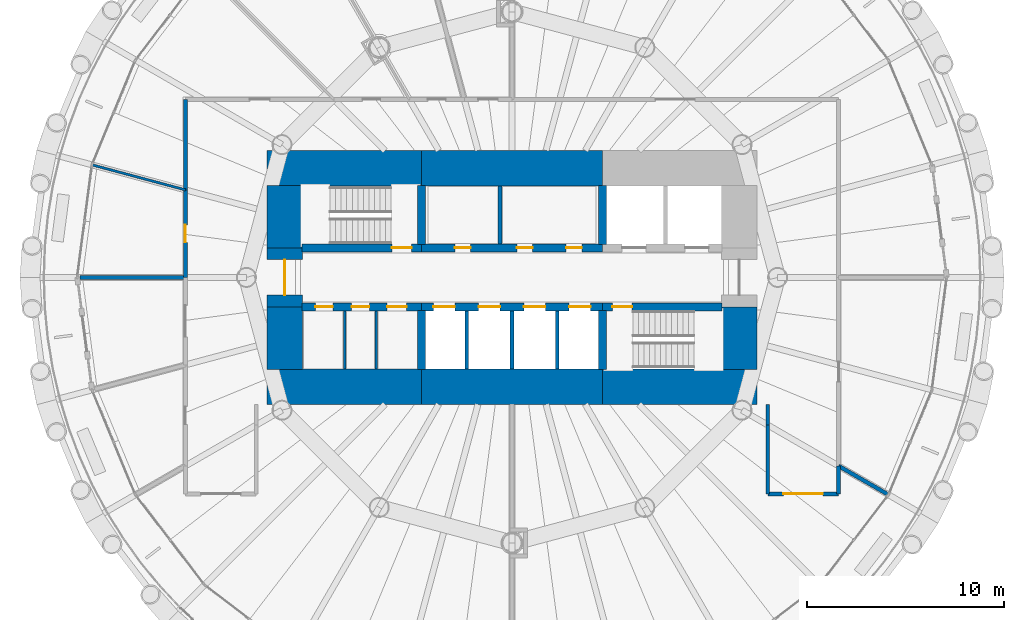
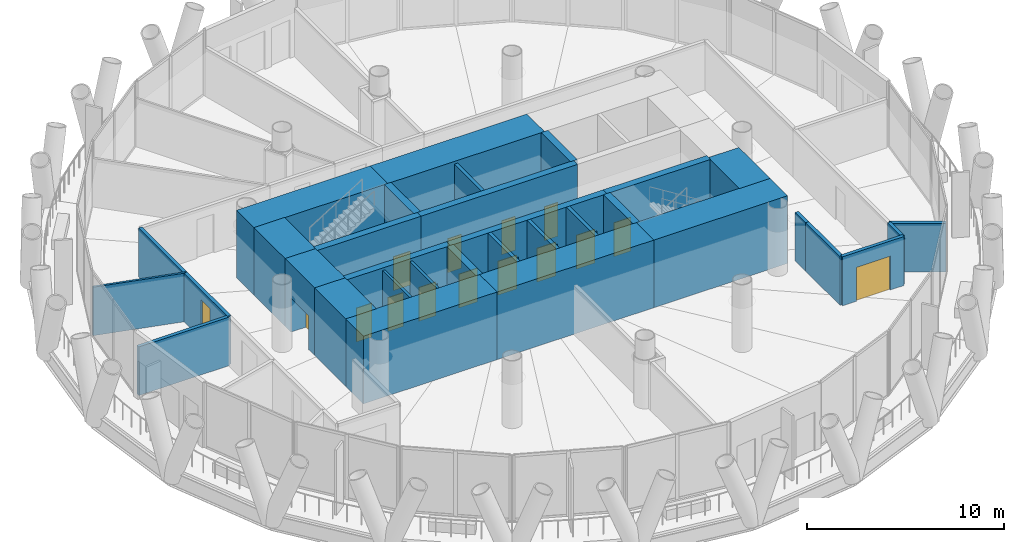
# One storey, part 9 of 15: 33 walls, 15 doors, 15 openings.
"""IFC4 building model written with IfcOpenShell, lengths in metres."""

from ifc_helpers import new_model, si_unit, direction, frame, frame_2d, origin, place, context, subcontext, project, spatial, rectangle, extrude, material, layer, layer_set, type_object, element, fill, save


model = new_model("IFC4")

# Units and contexts
model_context = context("Model", 3, precision=1e-05, world=origin(), true_north=direction((0.0, 1.0)))
body_context = subcontext(model_context, "Body", "Model", "MODEL_VIEW")
ifc_project = project(units=[si_unit("LENGTHUNIT", "METRE"), si_unit("AREAUNIT", "SQUARE_METRE"), si_unit("VOLUMEUNIT", "CUBIC_METRE"), si_unit("PLANEANGLEUNIT", "RADIAN"), si_unit("MASSUNIT", "GRAM", prefix="KILO")], contexts=[model_context])

# Site, building, storey
site_placement = place(None, origin())
site = spatial("IfcSite", under=ifc_project, at=site_placement, CompositionType="ELEMENT")
building_placement = place(site_placement, origin())
building = spatial("IfcBuilding", under=site, at=building_placement, Name="Qaws Media Tower", CompositionType="ELEMENT")
storey_placement = place(building_placement, frame((0.0, 0.0, 177.199951171875)))
storey = spatial("IfcBuildingStorey", under=building, at=storey_placement, Name="L40", CompositionType="ELEMENT", Elevation=177.199951171875)

# Wall, opening, door
ifc_material_1 = material(Name="Concrete C60/75", Category="concrete")
ifc_layer_1 = layer(ifc_material_1, 0.39990234375)
ifc_layer_set_1 = layer_set([ifc_layer_1], Name="Core inner wall 400")
wall_type_1 = type_object("IfcWallType", Name="Core inner wall 400", PredefinedType="SHEAR", material=ifc_layer_set_1)
wall_1_placement = place(storey_placement, frame((49.330078125, 51.5, 0.0), z_axis=(0.0, 0.0, 1.0), x_axis=(1.0, 0.0, 0.0)))
wall_1 = element("IfcWall", 1, at=wall_1_placement, inside=storey, type_object=wall_type_1, Name="W321 SW4 core wall SPNW L40", PredefinedType="SHEAR", context=body_context, shape_type="SweptSolid", body=[
    extrude(rectangle(XDim=6.06982421875, YDim=0.39990234375, at=frame_2d((3.034912109375, 0.0))), origin(), (0.0, 0.0, 1.0), 4.199951171875),
])
opening_1_placement = place(wall_1_placement, frame((4.570068359375, 0.0, 0.0)))
opening_1 = element("IfcOpeningElement", 2, at=opening_1_placement, cuts=wall_1, Name="Opening D1", PredefinedType="OPENING", context=body_context, shape_type="SweptSolid", body=[
    extrude(rectangle(XDim=1.0, YDim=2.10009765625, at=frame_2d((0.5, 1.050048828125))), frame((0.0, 0.2099609375, 0.0), z_axis=(0.0, -1.0, 0.0), x_axis=(1.0, 0.0, 0.0)), (0.0, 0.0, 1.0), 0.419921875),
])
ifc_material_2 = material(Name="Steel, fire rated", Category="steel")
door_type_1 = type_object("IfcDoorType", Name="Stair door 1000 FD120", OperationType="SINGLE_SWING_LEFT", PredefinedType="DOOR", material=ifc_material_2)
door_1_placement = place(opening_1_placement, origin())
door_1 = element("IfcDoor", 3, at=door_1_placement, inside=storey, type_object=door_type_1, Name="D1 stair S1 door L40 in wall W321", OperationType="SINGLE_SWING_LEFT", OverallHeight=2.10009765625, OverallWidth=1.0, PredefinedType="DOOR", context=body_context, shape_type="SweptSolid", body=[
    extrude(rectangle(XDim=1.0, YDim=2.10009765625, at=frame_2d((0.5, 1.050048828125))), frame((0.0, 0.02490234375, 0.0), z_axis=(0.0, -1.0, 0.0), x_axis=(1.0, 0.0, 0.0)), (0.0, 0.0, 1.0), 0.050048828125),
])
fill(opening_1, door_1)

# Wall, openings, doors
wall_2_placement = place(storey_placement, frame((55.39990234375, 51.5, 0.0), z_axis=(0.0, 0.0, 1.0), x_axis=(1.0, 0.0, 0.0)))
wall_2 = element("IfcWall", 4, at=wall_2_placement, inside=storey, type_object=wall_type_1, Name="W314 SW4 core wall SPN L40", PredefinedType="SHEAR", context=body_context, shape_type="SweptSolid", body=[
    extrude(rectangle(XDim=9.2001953125, YDim=0.39990234375, at=frame_2d((4.60009765625, 0.0))), origin(), (0.0, 0.0, 1.0), 4.199951171875),
])
opening_2_placement = place(wall_2_placement, frame((1.699951171875, 0.0, 0.0)))
opening_2 = element("IfcOpeningElement", 5, at=opening_2_placement, cuts=wall_2, Name="Opening D23", PredefinedType="OPENING", context=body_context, shape_type="SweptSolid", body=[
    extrude(rectangle(XDim=0.800048828125, YDim=2.10009765625, at=frame_2d((0.39990234375, 1.050048828125))), frame((0.0, 0.2099609375, 0.0), z_axis=(0.0, -1.0, 0.0), x_axis=(1.0, 0.0, 0.0)), (0.0, 0.0, 1.0), 0.419921875),
])
opening_3_placement = place(wall_2_placement, frame((4.85009765625, 0.0, 0.0)))
opening_3 = element("IfcOpeningElement", 6, at=opening_3_placement, cuts=wall_2, Name="Opening D23", PredefinedType="OPENING", context=body_context, shape_type="SweptSolid", body=[
    extrude(rectangle(XDim=0.800048828125, YDim=2.10009765625, at=frame_2d((0.39990234375, 1.050048828125))), frame((0.0, 0.2099609375, 0.0), z_axis=(0.0, -1.0, 0.0), x_axis=(1.0, 0.0, 0.0)), (0.0, 0.0, 1.0), 0.419921875),
])
opening_4_placement = place(wall_2_placement, frame((7.35009765625, 0.0, 0.0)))
opening_4 = element("IfcOpeningElement", 7, at=opening_4_placement, cuts=wall_2, Name="Opening D23", PredefinedType="OPENING", context=body_context, shape_type="SweptSolid", body=[
    extrude(rectangle(XDim=0.800048828125, YDim=2.10009765625, at=frame_2d((0.39990234375, 1.050048828125))), frame((0.0, 0.2099609375, 0.0), z_axis=(0.0, -1.0, 0.0), x_axis=(1.0, 0.0, 0.0)), (0.0, 0.0, 1.0), 0.419921875),
])
ifc_material_3 = material(Name="Steel, fire rated", Category="steel")
door_type_2 = type_object("IfcDoorType", Name="Core room door 800x2100", OperationType="SINGLE_SWING_LEFT", PredefinedType="DOOR", material=ifc_material_3)
door_2_placement = place(opening_2_placement, origin())
door_2 = element("IfcDoor", 8, at=door_2_placement, inside=storey, type_object=door_type_2, Name="D23 Gents toilets door L40 in wall W314", OperationType="SINGLE_SWING_LEFT", OverallHeight=2.10009765625, OverallWidth=0.800048828125, PredefinedType="DOOR", context=body_context, shape_type="SweptSolid", body=[
    extrude(rectangle(XDim=0.800048828125, YDim=2.10009765625, at=frame_2d((0.39990234375, 1.050048828125))), frame((0.0, 0.02490234375, 0.0), z_axis=(0.0, -1.0, 0.0), x_axis=(1.0, 0.0, 0.0)), (0.0, 0.0, 1.0), 0.050048828125),
])
fill(opening_2, door_2)
door_3_placement = place(opening_3_placement, origin())
door_3 = element("IfcDoor", 9, at=door_3_placement, inside=storey, type_object=door_type_2, Name="D23 Ladies toilets door L40 2 in wall W314", OperationType="SINGLE_SWING_LEFT", OverallHeight=2.10009765625, OverallWidth=0.800048828125, PredefinedType="DOOR", context=body_context, shape_type="SweptSolid", body=[
    extrude(rectangle(XDim=0.800048828125, YDim=2.10009765625, at=frame_2d((0.39990234375, 1.050048828125))), frame((0.0, 0.02490234375, 0.0), z_axis=(0.0, -1.0, 0.0), x_axis=(1.0, 0.0, 0.0)), (0.0, 0.0, 1.0), 0.050048828125),
])
fill(opening_3, door_3)
door_4_placement = place(opening_4_placement, origin())
door_4 = element("IfcDoor", 10, at=door_4_placement, inside=storey, type_object=door_type_2, Name="D23 Ladies toilets door L40 3 in wall W314", OperationType="SINGLE_SWING_LEFT", OverallHeight=2.10009765625, OverallWidth=0.800048828125, PredefinedType="DOOR", context=body_context, shape_type="SweptSolid", body=[
    extrude(rectangle(XDim=0.800048828125, YDim=2.10009765625, at=frame_2d((0.39990234375, 1.050048828125))), frame((0.0, 0.02490234375, 0.0), z_axis=(0.0, -1.0, 0.0), x_axis=(1.0, 0.0, 0.0)), (0.0, 0.0, 1.0), 0.050048828125),
])
fill(opening_4, door_4)

wall_3_placement = place(storey_placement, frame((49.330078125, 48.5, 0.0), z_axis=(0.0, 0.0, 1.0), x_axis=(1.0, 0.0, 0.0)))
wall_3 = element("IfcWall", 11, at=wall_3_placement, inside=storey, type_object=wall_type_1, Name="W320 SW4 core wall SPSW L40", PredefinedType="SHEAR", context=body_context, shape_type="SweptSolid", body=[
    extrude(rectangle(XDim=6.06982421875, YDim=0.39990234375, at=frame_2d((3.034912109375, 0.0))), origin(), (0.0, 0.0, 1.0), 4.199951171875),
])
opening_5_placement = place(wall_3_placement, frame((0.669921875, 0.0, 0.0)))
opening_5 = element("IfcOpeningElement", 12, at=opening_5_placement, cuts=wall_3, Name="Opening D3", PredefinedType="OPENING", context=body_context, shape_type="SweptSolid", body=[
    extrude(rectangle(XDim=0.89990234375, YDim=2.10009765625, at=frame_2d((0.449951171875, 1.050048828125))), frame((0.0, 0.2099609375, 0.0), z_axis=(0.0, -1.0, 0.0), x_axis=(1.0, 0.0, 0.0)), (0.0, 0.0, 1.0), 0.419921875),
])
opening_6_placement = place(wall_3_placement, frame((2.52001953125, 0.0, 0.0)))
opening_6 = element("IfcOpeningElement", 13, at=opening_6_placement, cuts=wall_3, Name="Opening D25", PredefinedType="OPENING", context=body_context, shape_type="SweptSolid", body=[
    extrude(rectangle(XDim=0.89990234375, YDim=2.10009765625, at=frame_2d((0.449951171875, 1.050048828125))), frame((0.0, 0.2099609375, 0.0), z_axis=(0.0, -1.0, 0.0), x_axis=(1.0, 0.0, 0.0)), (0.0, 0.0, 1.0), 0.419921875),
])
opening_7_placement = place(wall_3_placement, frame((4.320068359375, 0.0, 0.0)))
opening_7 = element("IfcOpeningElement", 14, at=opening_7_placement, cuts=wall_3, Name="Opening D4", PredefinedType="OPENING", context=body_context, shape_type="SweptSolid", body=[
    extrude(rectangle(XDim=1.0, YDim=2.10009765625, at=frame_2d((0.5, 1.050048828125))), frame((0.0, 0.2099609375, 0.0), z_axis=(0.0, -1.0, 0.0), x_axis=(1.0, 0.0, 0.0)), (0.0, 0.0, 1.0), 0.419921875),
])
ifc_material_4 = material(Name="Timber veneered", Category="wood")
door_type_3 = type_object("IfcDoorType", Name="Accessible WC door 1000", OperationType="SLIDING_TO_LEFT", PredefinedType="DOOR", material=ifc_material_4)
door_5_placement = place(opening_7_placement, origin())
door_5 = element("IfcDoor", 15, at=door_5_placement, inside=storey, type_object=door_type_3, Name="D4 toilet door 3 L40 in wall W320", OperationType="SLIDING_TO_LEFT", OverallHeight=2.10009765625, OverallWidth=1.0, PredefinedType="DOOR", context=body_context, shape_type="SweptSolid", body=[
    extrude(rectangle(XDim=1.0, YDim=2.10009765625, at=frame_2d((0.5, 1.050048828125))), frame((0.0, 0.02490234375, 0.0), z_axis=(0.0, -1.0, 0.0), x_axis=(1.0, 0.0, 0.0)), (0.0, 0.0, 1.0), 0.050048828125),
])
fill(opening_7, door_5)
ifc_material_5 = material(Name="Steel, fire rated", Category="steel")
door_type_4 = type_object("IfcDoorType", Name="Core service door 900", OperationType="SINGLE_SWING_RIGHT", PredefinedType="DOOR", material=ifc_material_5)
door_6_placement = place(opening_6_placement, origin())
door_6 = element("IfcDoor", 16, at=door_6_placement, inside=storey, type_object=door_type_4, Name="D25 toilet door 2 L40 in wall W320", OperationType="SINGLE_SWING_RIGHT", OverallHeight=2.10009765625, OverallWidth=0.89990234375, PredefinedType="DOOR", context=body_context, shape_type="SweptSolid", body=[
    extrude(rectangle(XDim=0.89990234375, YDim=2.10009765625, at=frame_2d((0.449951171875, 1.050048828125))), frame((0.0, 0.02490234375, 0.0), z_axis=(0.0, -1.0, 0.0), x_axis=(1.0, 0.0, 0.0)), (0.0, 0.0, 1.0), 0.050048828125),
])
fill(opening_6, door_6)
ifc_material_6 = material(Name="Timber veneered", Category="wood")
door_type_5 = type_object("IfcDoorType", Name="Toilet door 900", OperationType="SINGLE_SWING_RIGHT", PredefinedType="DOOR", material=ifc_material_6)
door_7_placement = place(opening_5_placement, origin())
door_7 = element("IfcDoor", 17, at=door_7_placement, inside=storey, type_object=door_type_5, Name="D3 toilet door 1 L40 in wall W320", OperationType="SINGLE_SWING_RIGHT", OverallHeight=2.10009765625, OverallWidth=0.89990234375, PredefinedType="DOOR", context=body_context, shape_type="SweptSolid", body=[
    extrude(rectangle(XDim=0.89990234375, YDim=2.10009765625, at=frame_2d((0.449951171875, 1.050048828125))), frame((0.0, 0.02490234375, 0.0), z_axis=(0.0, -1.0, 0.0), x_axis=(1.0, 0.0, 0.0)), (0.0, 0.0, 1.0), 0.050048828125),
])
fill(opening_5, door_7)

wall_4_placement = place(storey_placement, frame((55.39990234375, 48.5, 0.0), z_axis=(0.0, 0.0, 1.0), x_axis=(1.0, 0.0, 0.0)))
wall_4 = element("IfcWall", 18, at=wall_4_placement, inside=storey, type_object=wall_type_1, Name="W313 SW4 core wall SPS L40", PredefinedType="SHEAR", context=body_context, shape_type="SweptSolid", body=[
    extrude(rectangle(XDim=9.2001953125, YDim=0.39990234375, at=frame_2d((4.60009765625, 0.0))), origin(), (0.0, 0.0, 1.0), 4.199951171875),
])
opening_8_placement = place(wall_4_placement, frame((0.60009765625, 0.0, 0.0)))
opening_8 = element("IfcOpeningElement", 19, at=opening_8_placement, cuts=wall_4, Name="Opening LD", PredefinedType="OPENING", context=body_context, shape_type="SweptSolid", body=[
    extrude(rectangle(XDim=1.10009765625, YDim=2.10009765625, at=frame_2d((0.550048828125, 1.050048828125))), frame((0.0, 0.2099609375, 0.0), z_axis=(0.0, -1.0, 0.0), x_axis=(1.0, 0.0, 0.0)), (0.0, 0.0, 1.0), 0.419921875),
])
opening_9_placement = place(wall_4_placement, frame((2.89990234375, 0.0, 0.0)))
opening_9 = element("IfcOpeningElement", 20, at=opening_9_placement, cuts=wall_4, Name="Opening LD", PredefinedType="OPENING", context=body_context, shape_type="SweptSolid", body=[
    extrude(rectangle(XDim=1.10009765625, YDim=2.10009765625, at=frame_2d((0.550048828125, 1.050048828125))), frame((0.0, 0.2099609375, 0.0), z_axis=(0.0, -1.0, 0.0), x_axis=(1.0, 0.0, 0.0)), (0.0, 0.0, 1.0), 0.419921875),
])
opening_10_placement = place(wall_4_placement, frame((5.199951171875, 0.0, 0.0)))
opening_10 = element("IfcOpeningElement", 21, at=opening_10_placement, cuts=wall_4, Name="Opening LD", PredefinedType="OPENING", context=body_context, shape_type="SweptSolid", body=[
    extrude(rectangle(XDim=1.10009765625, YDim=2.10009765625, at=frame_2d((0.550048828125, 1.050048828125))), frame((0.0, 0.2099609375, 0.0), z_axis=(0.0, -1.0, 0.0), x_axis=(1.0, 0.0, 0.0)), (0.0, 0.0, 1.0), 0.419921875),
])
opening_11_placement = place(wall_4_placement, frame((7.5, 0.0, 0.0)))
opening_11 = element("IfcOpeningElement", 22, at=opening_11_placement, cuts=wall_4, Name="Opening LD", PredefinedType="OPENING", context=body_context, shape_type="SweptSolid", body=[
    extrude(rectangle(XDim=1.10009765625, YDim=2.10009765625, at=frame_2d((0.550048828125, 1.050048828125))), frame((0.0, 0.2099609375, 0.0), z_axis=(0.0, -1.0, 0.0), x_axis=(1.0, 0.0, 0.0)), (0.0, 0.0, 1.0), 0.419921875),
])
ifc_material_7 = material(Name="Steel, fire rated", Category="steel")
door_type_6 = type_object("IfcDoorType", Name="Lift landing door 1100", OperationType="SLIDING_TO_LEFT", PredefinedType="DOOR", material=ifc_material_7)
door_8_placement = place(opening_8_placement, origin())
door_8 = element("IfcDoor", 23, at=door_8_placement, inside=storey, type_object=door_type_6, Name="P5 landing door L40 in wall W313", OperationType="SLIDING_TO_LEFT", OverallHeight=2.10009765625, OverallWidth=1.10009765625, PredefinedType="DOOR", context=body_context, shape_type="SweptSolid", body=[
    extrude(rectangle(XDim=1.10009765625, YDim=2.10009765625, at=frame_2d((0.550048828125, 1.050048828125))), frame((0.0, 0.02490234375, 0.0), z_axis=(0.0, -1.0, 0.0), x_axis=(1.0, 0.0, 0.0)), (0.0, 0.0, 1.0), 0.050048828125),
])
fill(opening_8, door_8)
door_9_placement = place(opening_9_placement, origin())
door_9 = element("IfcDoor", 24, at=door_9_placement, inside=storey, type_object=door_type_6, Name="P6 landing door L40 in wall W313", OperationType="SLIDING_TO_LEFT", OverallHeight=2.10009765625, OverallWidth=1.10009765625, PredefinedType="DOOR", context=body_context, shape_type="SweptSolid", body=[
    extrude(rectangle(XDim=1.10009765625, YDim=2.10009765625, at=frame_2d((0.550048828125, 1.050048828125))), frame((0.0, 0.02490234375, 0.0), z_axis=(0.0, -1.0, 0.0), x_axis=(1.0, 0.0, 0.0)), (0.0, 0.0, 1.0), 0.050048828125),
])
fill(opening_9, door_9)
door_10_placement = place(opening_10_placement, origin())
door_10 = element("IfcDoor", 25, at=door_10_placement, inside=storey, type_object=door_type_6, Name="P7 landing door L40 in wall W313", OperationType="SLIDING_TO_LEFT", OverallHeight=2.10009765625, OverallWidth=1.10009765625, PredefinedType="DOOR", context=body_context, shape_type="SweptSolid", body=[
    extrude(rectangle(XDim=1.10009765625, YDim=2.10009765625, at=frame_2d((0.550048828125, 1.050048828125))), frame((0.0, 0.02490234375, 0.0), z_axis=(0.0, -1.0, 0.0), x_axis=(1.0, 0.0, 0.0)), (0.0, 0.0, 1.0), 0.050048828125),
])
fill(opening_10, door_10)
door_11_placement = place(opening_11_placement, origin())
door_11 = element("IfcDoor", 26, at=door_11_placement, inside=storey, type_object=door_type_6, Name="P8 landing door L40 in wall W313", OperationType="SLIDING_TO_LEFT", OverallHeight=2.10009765625, OverallWidth=1.10009765625, PredefinedType="DOOR", context=body_context, shape_type="SweptSolid", body=[
    extrude(rectangle(XDim=1.10009765625, YDim=2.10009765625, at=frame_2d((0.550048828125, 1.050048828125))), frame((0.0, 0.02490234375, 0.0), z_axis=(0.0, -1.0, 0.0), x_axis=(1.0, 0.0, 0.0)), (0.0, 0.0, 1.0), 0.050048828125),
])
fill(opening_11, door_11)

# Wall, opening, door
wall_5_placement = place(storey_placement, frame((64.60009765625, 48.5, 0.0), z_axis=(0.0, 0.0, 1.0), x_axis=(1.0, 0.0, 0.0)))
wall_5 = element("IfcWall", 27, at=wall_5_placement, inside=storey, type_object=wall_type_1, Name="W325 SW4 core wall SPSE L40", PredefinedType="SHEAR", context=body_context, shape_type="SweptSolid", body=[
    extrude(rectangle(XDim=6.06982421875, YDim=0.39990234375, at=frame_2d((3.034912109375, 0.0))), origin(), (0.0, 0.0, 1.0), 4.199951171875),
])
opening_12_placement = place(wall_5_placement, frame((0.5, 0.0, 0.0)))
opening_12 = element("IfcOpeningElement", 28, at=opening_12_placement, cuts=wall_5, Name="Opening D1", PredefinedType="OPENING", context=body_context, shape_type="SweptSolid", body=[
    extrude(rectangle(XDim=1.0, YDim=2.10009765625, at=frame_2d((0.5, 1.050048828125))), frame((0.0, 0.2099609375, 0.0), z_axis=(0.0, -1.0, 0.0), x_axis=(1.0, 0.0, 0.0)), (0.0, 0.0, 1.0), 0.419921875),
])
door_12_placement = place(opening_12_placement, origin())
door_12 = element("IfcDoor", 29, at=door_12_placement, inside=storey, type_object=door_type_1, Name="D1 stair S2 door L40 in wall W325", OperationType="SINGLE_SWING_LEFT", OverallHeight=2.10009765625, OverallWidth=1.0, PredefinedType="DOOR", context=body_context, shape_type="SweptSolid", body=[
    extrude(rectangle(XDim=1.0, YDim=2.10009765625, at=frame_2d((0.5, 1.050048828125))), frame((0.0, 0.02490234375, 0.0), z_axis=(0.0, -1.0, 0.0), x_axis=(1.0, 0.0, 0.0)), (0.0, 0.0, 1.0), 0.050048828125),
])
fill(opening_12, door_12)

# Walls
for number, where, z_axis, x_axis, name in (
    (30, (55.39990234375, 51.679931640625, 0.0), (0.0, 0.0, 1.0), (0.0, 1.0, 0.0), "W323 SW4 core wall XNW L40"),
    (31, (64.60009765625, 51.679931640625, 0.0), (0.0, 0.0, 1.0), (0.0, 1.0, 0.0), "W327 SW4 core wall XNE L40"),
    (32, (55.39990234375, 48.320068359375, 0.0), (0.0, 0.0, 1.0), (0.0, -1.0, 0.0), "W322 SW4 core wall XSW L40"),
    (33, (64.60009765625, 48.320068359375, 0.0), (0.0, 0.0, 1.0), (0.0, -1.0, 0.0), "W324 SW4 core wall XSE L40"),
):
    element("IfcWall", number, at=place(storey_placement, frame(where, z_axis=z_axis, x_axis=x_axis)), inside=storey, type_object=wall_type_1, Name=name, PredefinedType="SHEAR", context=body_context, shape_type="SweptSolid", body=[
        extrude(rectangle(XDim=2.989990234375, YDim=0.39990234375, at=frame_2d((1.4951171875, 0.0))), origin(), (0.0, 0.0, 1.0), 4.199951171875),
    ])
ifc_material_8 = material(Name="Concrete C60/75", Category="concrete")
ifc_layer_2 = layer(ifc_material_8, 1.800048828125)
ifc_layer_set_2 = layer_set([ifc_layer_2], Name="Core wall 1800")
wall_type_2 = type_object("IfcWallType", Name="Core wall 1800", PredefinedType="SHEAR", material=ifc_layer_set_2)
wall_6_placement = place(storey_placement, frame((47.550048828125, 55.550048828125, 0.0), z_axis=(0.0, 0.0, 1.0), x_axis=(1.0, 0.0, 0.0)))
element("IfcWall", 34, at=wall_6_placement, inside=storey, type_object=wall_type_2, Name="W417 SW11 core wall NW L40", PredefinedType="SHEAR", context=body_context, shape_type="SweptSolid", body=[
    extrude(rectangle(XDim=7.849853515625, YDim=1.800048828125, at=frame_2d((3.9248046875, 0.0))), origin(), (0.0, 0.0, 1.0), 4.199951171875),
])
wall_7_placement = place(storey_placement, frame((55.39990234375, 55.550048828125, 0.0), z_axis=(0.0, 0.0, 1.0), x_axis=(1.0, 0.0, 0.0)))
element("IfcWall", 35, at=wall_7_placement, inside=storey, type_object=wall_type_2, Name="W421 SW11 core wall N L40", PredefinedType="SHEAR", context=body_context, shape_type="SweptSolid", body=[
    extrude(rectangle(XDim=9.2001953125, YDim=1.800048828125, at=frame_2d((4.60009765625, 0.0))), origin(), (0.0, 0.0, 1.0), 4.199951171875),
])
wall_8_placement = place(storey_placement, frame((47.550048828125, 44.449951171875, 0.0), z_axis=(0.0, 0.0, 1.0), x_axis=(1.0, 0.0, 0.0)))
element("IfcWall", 36, at=wall_8_placement, inside=storey, type_object=wall_type_2, Name="W416 SW11 core wall SW L40", PredefinedType="SHEAR", context=body_context, shape_type="SweptSolid", body=[
    extrude(rectangle(XDim=7.849853515625, YDim=1.800048828125, at=frame_2d((3.9248046875, 0.0))), origin(), (0.0, 0.0, 1.0), 4.199951171875),
])
wall_9_placement = place(storey_placement, frame((55.39990234375, 44.449951171875, 0.0), z_axis=(0.0, 0.0, 1.0), x_axis=(1.0, 0.0, 0.0)))
element("IfcWall", 37, at=wall_9_placement, inside=storey, type_object=wall_type_2, Name="W420 SW11 core wall S L40", PredefinedType="SHEAR", context=body_context, shape_type="SweptSolid", body=[
    extrude(rectangle(XDim=9.2001953125, YDim=1.800048828125, at=frame_2d((4.60009765625, 0.0))), origin(), (0.0, 0.0, 1.0), 4.199951171875),
])
wall_10_placement = place(storey_placement, frame((64.60009765625, 44.449951171875, 0.0), z_axis=(0.0, 0.0, 1.0), x_axis=(1.0, 0.0, 0.0)))
element("IfcWall", 38, at=wall_10_placement, inside=storey, type_object=wall_type_2, Name="W422 SW11 core wall SE L40", PredefinedType="SHEAR", context=body_context, shape_type="SweptSolid", body=[
    extrude(rectangle(XDim=7.849853515625, YDim=1.800048828125, at=frame_2d((3.9248046875, 0.0))), origin(), (0.0, 0.0, 1.0), 4.199951171875),
])
for number, where, z_axis, x_axis, name in (
    (39, (71.550048828125, 45.330078125, 0.0), (0.0, 0.0, 1.0), (0.0, 1.0, 0.0), "W424 SW11 core wall ES L40"),
    (40, (48.449951171875, 45.330078125, 0.0), (0.0, 0.0, 1.0), (0.0, 1.0, 0.0), "W418 SW11 core wall WS L40"),
):
    element("IfcWall", number, at=place(storey_placement, frame(where, z_axis=z_axis, x_axis=x_axis)), inside=storey, type_object=wall_type_2, Name=name, PredefinedType="SHEAR", context=body_context, shape_type="SweptSolid", body=[
        extrude(rectangle(XDim=3.169921875, YDim=1.800048828125, at=frame_2d((1.5849609375, 0.0))), origin(), (0.0, 0.0, 1.0), 4.199951171875),
    ])

# Wall, opening, door
wall_11_placement = place(storey_placement, frame((48.449951171875, 48.5, 0.0), z_axis=(0.0, 0.0, 1.0), x_axis=(0.0, 1.0, 0.0)))
wall_11 = element("IfcWall", 41, at=wall_11_placement, inside=storey, type_object=wall_type_2, Name="W426 SW11 core wall W L40", PredefinedType="SHEAR", context=body_context, shape_type="SweptSolid", body=[
    extrude(rectangle(XDim=3.0, YDim=1.800048828125, at=frame_2d((1.5, 0.0))), origin(), (0.0, 0.0, 1.0), 4.199951171875),
])
opening_13_placement = place(wall_11_placement, frame((0.60009765625, 0.0, 0.0)))
opening_13 = element("IfcOpeningElement", 42, at=opening_13_placement, cuts=wall_11, Name="Opening D2", PredefinedType="OPENING", context=body_context, shape_type="SweptSolid", body=[
    extrude(rectangle(XDim=1.800048828125, YDim=2.10009765625, at=frame_2d((0.89990234375, 1.050048828125))), frame((0.0, 0.909912109375, 0.0), z_axis=(0.0, -1.0, 0.0), x_axis=(1.0, 0.0, 0.0)), (0.0, 0.0, 1.0), 1.820068359375),
])
ifc_material_9 = material(Name="Steel and glass, fire rated", Category="steel")
door_type_7 = type_object("IfcDoorType", Name="Lobby door pair 1800 FD60", OperationType="DOUBLE_DOOR_DOUBLE_SWING", PredefinedType="DOOR", material=ifc_material_9)
door_13_placement = place(opening_13_placement, origin())
door_13 = element("IfcDoor", 43, at=door_13_placement, inside=storey, type_object=door_type_7, Name="D2 core lobby door W L40 in wall W426", OperationType="DOUBLE_DOOR_DOUBLE_SWING", OverallHeight=2.10009765625, OverallWidth=1.800048828125, PredefinedType="DOOR", context=body_context, shape_type="SweptSolid", body=[
    extrude(rectangle(XDim=1.800048828125, YDim=2.10009765625, at=frame_2d((0.89990234375, 1.050048828125))), frame((0.0, 0.02490234375, 0.0), z_axis=(0.0, -1.0, 0.0), x_axis=(1.0, 0.0, 0.0)), (0.0, 0.0, 1.0), 0.050048828125),
])
fill(opening_13, door_13)

# Walls
wall_12_placement = place(storey_placement, frame((48.449951171875, 51.5, 0.0), z_axis=(0.0, 0.0, 1.0), x_axis=(0.0, 1.0, 0.0)))
element("IfcWall", 44, at=wall_12_placement, inside=storey, type_object=wall_type_2, Name="W419 SW11 core wall WN L40", PredefinedType="SHEAR", context=body_context, shape_type="SweptSolid", body=[
    extrude(rectangle(XDim=3.169921875, YDim=1.800048828125, at=frame_2d((1.5849609375, 0.0))), origin(), (0.0, 0.0, 1.0), 4.199951171875),
])
ifc_material_10 = material(Name="Two layers gypsum board each side on 75 studs, insulated", Category="gypsum")
ifc_layer_3 = layer(ifc_material_10, 0.125)
ifc_layer_set_3 = layer_set([ifc_layer_3], Name="Meeting room partition 125 Rw 48")
wall_type_3 = type_object("IfcWallType", Name="Meeting room partition 125 Rw 48", PredefinedType="PARTITIONING", material=ifc_layer_set_3)
wall_13_placement = place(storey_placement, frame((43.405517578125, 54.446533203125, 0.0), z_axis=(0.0, 0.0, 1.0), x_axis=(-0.965932867409, 0.258792765854, 0.0)))
element("IfcWall", 45, at=wall_13_placement, inside=storey, type_object=wall_type_3, Name="W586 IW5 partition L40", PredefinedType="PARTITIONING", context=body_context, shape_type="SweptSolid", body=[
    extrude(rectangle(XDim=4.880126953125, YDim=0.125, at=frame_2d((2.43994140625, 0.0))), origin(), (0.0, 0.0, 1.0), 3.011962890625),
])
ifc_material_11 = material(Name="Gypsum board on galvanised metal studs, acoustic double stud, deflection head", Category="gypsum")
ifc_layer_4 = layer(ifc_material_11, 0.199951171875)
ifc_layer_set_4 = layer_set([ifc_layer_4], Name="Room partition 200")
wall_type_4 = type_object("IfcWallType", Name="Room partition 200", PredefinedType="PARTITIONING", material=ifc_layer_set_4)
wall_14_placement = place(storey_placement, frame((76.60009765625, 40.416015625, 0.0), z_axis=(0.0, 0.0, 1.0), x_axis=(0.0, -1.0, 0.0)))
element("IfcWall", 46, at=wall_14_placement, inside=storey, type_object=wall_type_4, Name="W1400 IW3 partition L40", PredefinedType="PARTITIONING", context=body_context, shape_type="SweptSolid", body=[
    extrude(rectangle(XDim=1.416015625, YDim=0.199951171875, at=frame_2d((0.7080078125, 0.0))), origin(), (0.0, 0.0, 1.0), 3.011962890625),
])

# Wall, opening, door
wall_15_placement = place(storey_placement, frame((76.60009765625, 39.0, 0.0), z_axis=(0.0, 0.0, 1.0), x_axis=(-1.0, 0.0, 0.0)))
wall_15 = element("IfcWall", 47, at=wall_15_placement, inside=storey, type_object=wall_type_4, Name="W1262 IW3 partition L40", PredefinedType="PARTITIONING", context=body_context, shape_type="SweptSolid", body=[
    extrude(rectangle(XDim=3.60009765625, YDim=0.199951171875, at=frame_2d((1.800048828125, 0.0))), origin(), (0.0, 0.0, 1.0), 3.0400390625),
])
opening_14_placement = place(wall_15_placement, frame((0.800048828125, 0.0, 0.0)))
opening_14 = element("IfcOpeningElement", 48, at=opening_14_placement, cuts=wall_15, Name="Opening D6", PredefinedType="OPENING", context=body_context, shape_type="SweptSolid", body=[
    extrude(rectangle(XDim=2.0, YDim=2.10009765625, at=frame_2d((1.0, 1.050048828125))), frame((0.0, 0.10986328125, 0.0), z_axis=(0.0, -1.0, 0.0), x_axis=(1.0, 0.0, 0.0)), (0.0, 0.0, 1.0), 0.219970703125),
])
ifc_material_12 = material(Name="Steel, acoustic, fire rated", Category="steel")
door_type_8 = type_object("IfcDoorType", Name="Room door pair 2000", OperationType="DOUBLE_DOOR_DOUBLE_SWING", PredefinedType="DOOR", material=ifc_material_12)
door_14_placement = place(opening_14_placement, origin())
door_14 = element("IfcDoor", 49, at=door_14_placement, inside=storey, type_object=door_type_8, Name="D6 Communications office door L40 in wall W1262", OperationType="DOUBLE_DOOR_DOUBLE_SWING", OverallHeight=2.10009765625, OverallWidth=2.0, PredefinedType="DOOR", context=body_context, shape_type="SweptSolid", body=[
    extrude(rectangle(XDim=2.0, YDim=2.10009765625, at=frame_2d((1.0, 1.050048828125))), frame((0.0, 0.02490234375, 0.0), z_axis=(0.0, -1.0, 0.0), x_axis=(1.0, 0.0, 0.0)), (0.0, 0.0, 1.0), 0.050048828125),
])
fill(opening_14, door_14)

# Walls
wall_16_placement = place(storey_placement, frame((73.0, 39.0, 0.0), z_axis=(0.0, 0.0, 1.0), x_axis=(0.0, 1.0, 0.0)))
element("IfcWall", 50, at=wall_16_placement, inside=storey, type_object=wall_type_4, Name="W1371 IW3 partition L40", PredefinedType="PARTITIONING", context=body_context, shape_type="SweptSolid", body=[
    extrude(rectangle(XDim=3.494384765625, YDim=0.199951171875, at=frame_2d((1.7470703125, 0.0))), origin(), (0.0, 0.0, 1.0), 3.011962890625),
])
wall_17_placement = place(storey_placement, frame((73.0, 42.494384765625, 0.0), z_axis=(0.0, 0.0, 1.0), x_axis=(0.0, 1.0, 0.0)))
element("IfcWall", 51, at=wall_17_placement, inside=storey, type_object=wall_type_4, Name="W1372 IW3 partition L40", PredefinedType="PARTITIONING", context=body_context, shape_type="SweptSolid", body=[
    extrude(rectangle(XDim=1.0556640625, YDim=0.199951171875, at=frame_2d((0.52783203125, 0.0))), origin(), (0.0, 0.0, 1.0), 3.011962890625),
])

# Wall, opening, door
wall_18_placement = place(storey_placement, frame((43.39990234375, 50.0, 0.0), z_axis=(0.0, 0.0, 1.0), x_axis=(0.0, 1.0, 0.0)))
wall_18 = element("IfcWall", 52, at=wall_18_placement, inside=storey, type_object=wall_type_4, Name="W1405 IW3 partition L40", PredefinedType="PARTITIONING", context=body_context, shape_type="SweptSolid", body=[
    extrude(rectangle(XDim=4.447998046875, YDim=0.199951171875, at=frame_2d((2.22412109375, 0.0))), origin(), (0.0, 0.0, 1.0), 3.011962890625),
])
opening_15_placement = place(wall_18_placement, frame((1.77392578125, 0.0, 0.0)))
opening_15 = element("IfcOpeningElement", 53, at=opening_15_placement, cuts=wall_18, Name="Opening D12", PredefinedType="OPENING", context=body_context, shape_type="SweptSolid", body=[
    extrude(rectangle(XDim=0.89990234375, YDim=2.39990234375, at=frame_2d((0.449951171875, 1.199951171875))), frame((0.0, 0.10986328125, 0.0), z_axis=(0.0, -1.0, 0.0), x_axis=(1.0, 0.0, 0.0)), (0.0, 0.0, 1.0), 0.219970703125),
])
ifc_material_13 = material(Name="Timber veneered, full height", Category="wood")
door_type_9 = type_object("IfcDoorType", Name="Office door 900x2400", OperationType="SINGLE_SWING_LEFT", PredefinedType="DOOR", material=ifc_material_13)
door_15_placement = place(opening_15_placement, origin())
door_15 = element("IfcDoor", 54, at=door_15_placement, inside=storey, type_object=door_type_9, Name="D12 Office door L40 in wall W1405", OperationType="SINGLE_SWING_LEFT", OverallHeight=2.39990234375, OverallWidth=0.89990234375, PredefinedType="DOOR", context=body_context, shape_type="SweptSolid", body=[
    extrude(rectangle(XDim=0.89990234375, YDim=2.39990234375, at=frame_2d((0.449951171875, 1.199951171875))), frame((0.0, 0.02490234375, 0.0), z_axis=(0.0, -1.0, 0.0), x_axis=(1.0, 0.0, 0.0)), (0.0, 0.0, 1.0), 0.050048828125),
])
fill(opening_15, door_15)

# Walls
wall_19_placement = place(storey_placement, frame((43.39990234375, 54.447998046875, 0.0), z_axis=(0.0, 0.0, 1.0), x_axis=(0.0, 1.0, 0.0)))
element("IfcWall", 55, at=wall_19_placement, inside=storey, type_object=wall_type_4, Name="W1406 IW3 partition L40", PredefinedType="PARTITIONING", context=body_context, shape_type="SweptSolid", body=[
    extrude(rectangle(XDim=4.60205078125, YDim=0.199951171875, at=frame_2d((2.301025390625, 0.0))), origin(), (0.0, 0.0, 1.0), 3.011962890625),
])
wall_20_placement = place(storey_placement, frame((43.39990234375, 50.0, 0.0), z_axis=(0.0, 0.0, 1.0), x_axis=(-1.0, 0.0, 0.0)))
element("IfcWall", 56, at=wall_20_placement, inside=storey, type_object=wall_type_4, Name="W1404 IW3 partition L40", PredefinedType="PARTITIONING", context=body_context, shape_type="SweptSolid", body=[
    extrude(rectangle(XDim=5.35986328125, YDim=0.199951171875, at=frame_2d((2.679931640625, 0.0))), origin(), (0.0, 0.0, 1.0), 3.011962890625),
])
wall_21_placement = place(storey_placement, frame((76.593017578125, 40.419921875, 0.0), z_axis=(0.0, 0.0, 1.0), x_axis=(0.866032775405, -0.499987231761, 0.0)))
element("IfcWall", 57, at=wall_21_placement, inside=storey, type_object=wall_type_4, Name="W1412 IW3 partition L40", PredefinedType="PARTITIONING", context=body_context, shape_type="SweptSolid", body=[
    extrude(rectangle(XDim=2.89990234375, YDim=0.199951171875, at=frame_2d((1.449951171875, 0.0))), origin(), (0.0, 0.0, 1.0), 3.011962890625),
])
wall_22_placement = place(storey_placement, frame((59.39990234375, 51.699951171875, 0.0), z_axis=(0.0, 0.0, 1.0), x_axis=(0.0, 1.0, 0.0)))
element("IfcWall", 58, at=wall_22_placement, inside=storey, type_object=wall_type_4, Name="W1394 IW3 core room partition 1 L40", PredefinedType="PARTITIONING", context=body_context, shape_type="SweptSolid", body=[
    extrude(rectangle(XDim=2.949951171875, YDim=0.199951171875, at=frame_2d((1.47509765625, 0.0))), origin(), (0.0, 0.0, 1.0), 4.0400390625),
])
ifc_material_14 = material(Name="Fire-rated gypsum board shaft wall on galvanised metal studs, deflection head", Category="gypsum")
ifc_layer_5 = layer(ifc_material_14, 0.199951171875)
ifc_layer_set_5 = layer_set([ifc_layer_5], Name="Shaft wall 200")
wall_type_5 = type_object("IfcWallType", Name="Shaft wall 200", PredefinedType="PARTITIONING", material=ifc_layer_set_5)
for number, where, z_axis, x_axis, name in (
    (59, (57.699951171875, 45.35009765625, 0.0), (0.0, 0.0, 1.0), (0.0, 1.0, 0.0), "W1860 IW1 shaft wall S1 L40"),
    (60, (60.0, 45.35009765625, 0.0), (0.0, 0.0, 1.0), (0.0, 1.0, 0.0), "W1861 IW1 shaft wall S2 L40"),
    (61, (62.300048828125, 45.35009765625, 0.0), (0.0, 0.0, 1.0), (0.0, 1.0, 0.0), "W1862 IW1 shaft wall S3 L40"),
):
    element("IfcWall", number, at=place(storey_placement, frame(where, z_axis=z_axis, x_axis=x_axis)), inside=storey, type_object=wall_type_5, Name=name, PredefinedType="PARTITIONING", context=body_context, shape_type="SweptSolid", body=[
        extrude(rectangle(XDim=2.949951171875, YDim=0.199951171875, at=frame_2d((1.47509765625, 0.0))), origin(), (0.0, 0.0, 1.0), 4.199951171875),
    ])
ifc_material_15 = material(Name="Gypsum board on galvanised metal studs, deflection head", Category="gypsum")
ifc_layer_6 = layer(ifc_material_15, 0.14990234375)
ifc_layer_set_6 = layer_set([ifc_layer_6], Name="WC partition 150")
wall_type_6 = type_object("IfcWallType", Name="WC partition 150", PredefinedType="PARTITIONING", material=ifc_layer_set_6)
for number, where, z_axis, x_axis, name in (
    (62, (51.5, 45.35009765625, 0.0), (0.0, 0.0, 1.0), (0.0, 1.0, 0.0), "W1916 IW2 toilet partition 1 L40"),
    (63, (53.10009765625, 45.35009765625, 0.0), (0.0, 0.0, 1.0), (0.0, 1.0, 0.0), "W1917 IW2 toilet partition 2 L40"),
):
    element("IfcWall", number, at=place(storey_placement, frame(where, z_axis=z_axis, x_axis=x_axis)), inside=storey, type_object=wall_type_6, Name=name, PredefinedType="PARTITIONING", context=body_context, shape_type="SweptSolid", body=[
        extrude(rectangle(XDim=2.949951171875, YDim=0.14990234375, at=frame_2d((1.47509765625, 0.0))), origin(), (0.0, 0.0, 1.0), 4.0400390625),
    ])

save(model, "model.ifc")
